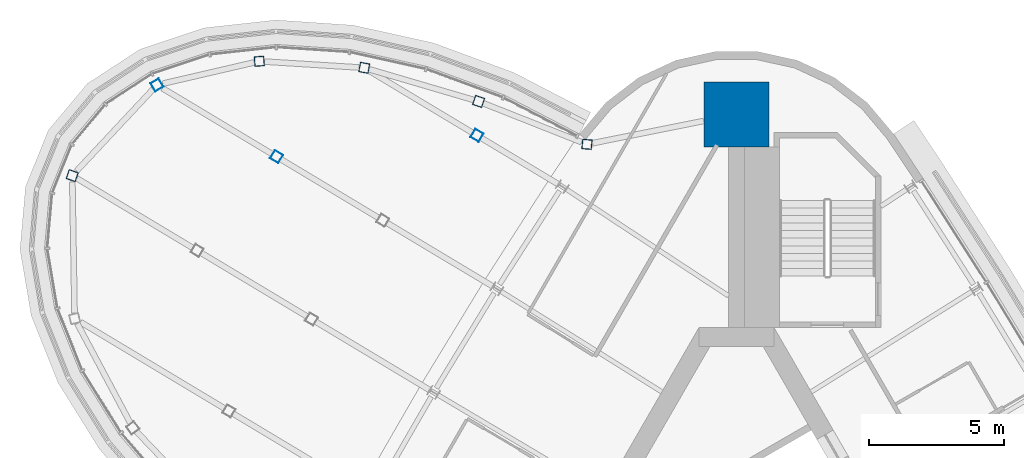
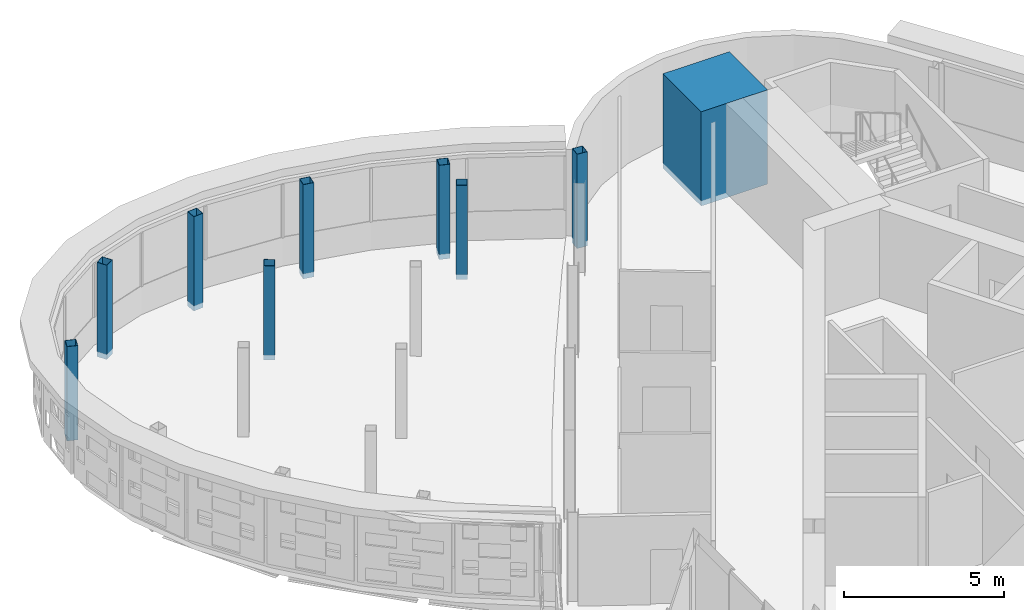
# One storey, part 3 of 13: 9 columns.
"""IFC4 building model written with IfcOpenShell, lengths in metres."""

from ifc_helpers import new_model, si_unit, direction, frame, origin, origin_2d, place, context, subcontext, project, spatial, rectangle, hollow_rectangle, extrude, material, material_profile, profile_set, type_object, element, save


model = new_model("IFC4")

# Units and contexts
model_context = context("Model", 3, precision=1e-05, world=origin(), true_north=direction((0.0, 1.0)))
body_context = subcontext(model_context, "Body", "Model", "MODEL_VIEW")
ifc_project = project(units=[si_unit("LENGTHUNIT", "METRE"), si_unit("AREAUNIT", "SQUARE_METRE"), si_unit("VOLUMEUNIT", "CUBIC_METRE"), si_unit("PLANEANGLEUNIT", "RADIAN"), si_unit("MASSUNIT", "GRAM", prefix="KILO")], contexts=[model_context])

# Site, building, storey
site_placement = place(None, origin())
site = spatial("IfcSite", under=ifc_project, at=site_placement, CompositionType="ELEMENT")
building_placement = place(site_placement, origin())
building = spatial("IfcBuilding", under=site, at=building_placement, Name="Noor Cloister Tower", CompositionType="ELEMENT")
storey_placement = place(building_placement, frame((0.0, 0.0, 267.0)))
storey = spatial("IfcBuildingStorey", under=building, at=storey_placement, Name="L68", CompositionType="ELEMENT", Elevation=267.0)

# Columns
ifc_material_1 = material(Name="Concrete C60/75", Category="concrete")
ifc_material_profile_1 = material_profile(ifc_material_1, rectangle(XDim=2.39990234375, YDim=2.39990234375, at=origin_2d()), Name="RC 2400x2400")
ifc_profile_set_1 = profile_set([ifc_material_profile_1], Name="Concrete C60/75")
column_type_1 = type_object("IfcColumnType", Name="Corner pier 2400 x 2400 C60/75", PredefinedType="COLUMN", material=ifc_profile_set_1)
column_placement = place(storey_placement, frame((0.0, 19.3349609375, -0.199951171875), z_axis=(0.0, 0.0, 1.0), x_axis=(0.0, 1.0, 0.0)))
element("IfcColumn", 1, at=column_placement, inside=storey, type_object=column_type_1, Name="Corner pier N L68", PredefinedType="COLUMN", context=body_context, shape_type="SweptSolid", body=[
    extrude(rectangle(XDim=2.39990234375, YDim=2.39990234375, at=origin_2d()), origin(), (0.0, 0.0, 1.0), 3.599853515625),
])
ifc_material_2 = material(Name="Steel ASTM A500 Gr C", Category="steel")
ifc_material_profile_2 = material_profile(ifc_material_2, hollow_rectangle(XDim=0.35595703125, YDim=0.35595703125, WallThickness=0.0126953125, at=origin_2d()), Name="HSS355.6x355.6x12.7")
ifc_profile_set_2 = profile_set([ifc_material_profile_2], Name="Steel ASTM A500 Gr C")
column_type_2 = type_object("IfcColumnType", Name="Pod post HSS355.6x355.6x12.7", PredefinedType="COLUMN", material=ifc_profile_set_2)
for number, where, z_axis, x_axis, name in (
    (2, (-9.59765625, 18.558349609375, -0.199951171875), (0.0, 0.0, 1.0), (-0.857566798966, 0.514372613299, 0.0), "Pod post 5 L68 line 1 node 1"),
    (3, (-17.0048828125, 17.771240234375, -0.199951171875), (0.0, 0.0, 1.0), (-0.857566798966, 0.514372613299, 0.0), "Pod post 5 L68 line 2 node 2"),
    (4, (-5.529296875, 18.228271484375, -0.199951171875), (0.0, 0.0, 1.0), (-0.996283580932, 0.086133770183, 0.0), "Pod post 5 L68 ring 2"),
    (5, (-9.53759765625, 19.815673828125, -0.199951171875), (0.0, 0.0, 1.0), (-0.945745789628, 0.324907527462, 0.0), "Pod post 5 L68 ring 3"),
    (6, (-13.76416015625, 21.057373046875, -0.199951171875), (0.0, 0.0, 1.0), (-0.983656388014, 0.180055853333, 0.0), "Pod post 5 L68 ring 4"),
    (7, (-17.643798828125, 21.299560546875, -0.199951171875), (0.0, 0.0, 1.0), (-0.99658507003, -0.08257238154, 0.0), "Pod post 5 L68 ring 5"),
    (8, (-21.425537109375, 20.422607421875, -0.199951171875), (0.0, 0.0, 1.0), (-0.853154382661, -0.521658508362, 0.0), "Pod post 5 L68 ring 6"),
    (9, (-24.56005859375, 17.070556640625, -0.199951171875), (0.0, 0.0, 1.0), (-0.332678988267, -0.943040132108, 0.0), "Pod post 5 L68 ring 7"),
):
    element("IfcColumn", number, at=place(storey_placement, frame(where, z_axis=z_axis, x_axis=x_axis)), inside=storey, type_object=column_type_2, Name=name, PredefinedType="COLUMN", context=body_context, shape_type="SweptSolid", body=[
        extrude(hollow_rectangle(XDim=0.35595703125, YDim=0.35595703125, WallThickness=0.0126953125, at=origin_2d()), origin(), (0.0, 0.0, 1.0), 3.599853515625),
    ])

save(model, "model.ifc")
